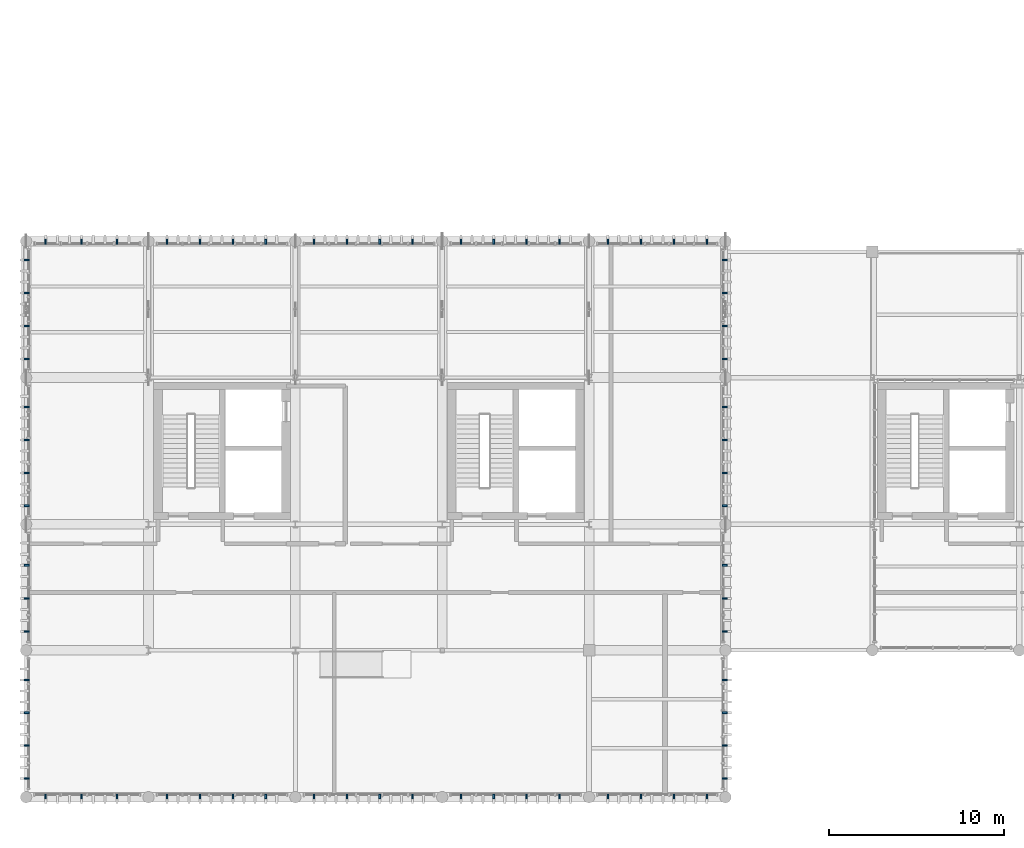
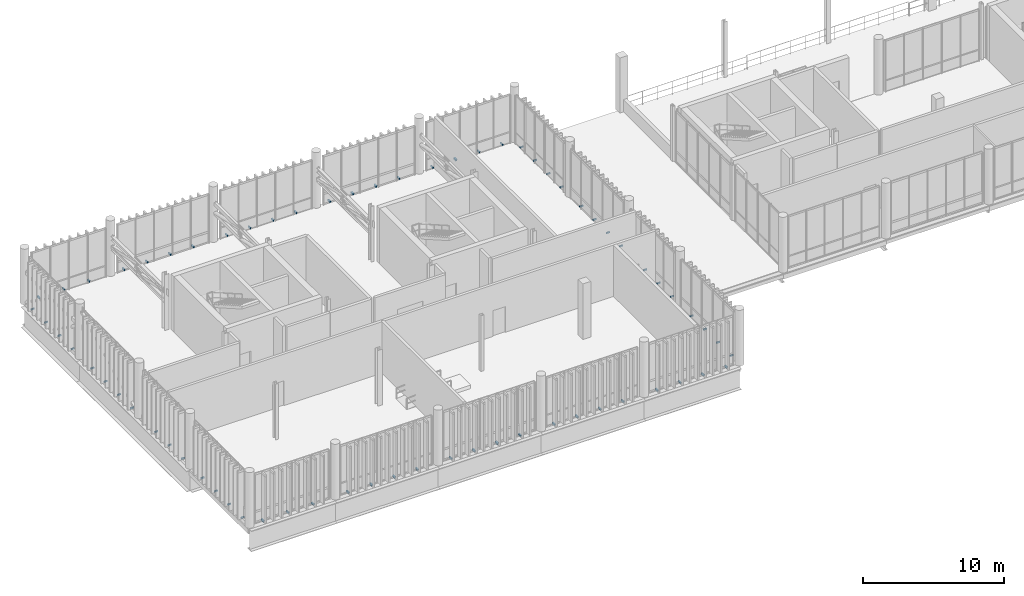
# One storey, part 74 of 81: 68 discrete accessories.
"""IFC4 building model written with IfcOpenShell, lengths in metres."""

from ifc_helpers import new_model, si_unit, direction, frame, origin_with_axes, origin_2d_with_axis, place, context, subcontext, project, spatial, rectangle, extrude, material, type_object, element, save


model = new_model("IFC4")

# Units and contexts
model_context = context("Model", 3, precision=1e-05, world=origin_with_axes(), true_north=direction((0.0, 1.0)))
body_context = subcontext(model_context, "Body", "Model", "MODEL_VIEW")
ifc_project = project(units=[si_unit("LENGTHUNIT", "METRE"), si_unit("AREAUNIT", "SQUARE_METRE"), si_unit("VOLUMEUNIT", "CUBIC_METRE"), si_unit("PLANEANGLEUNIT", "RADIAN"), si_unit("MASSUNIT", "GRAM", prefix="KILO"), si_unit("THERMODYNAMICTEMPERATUREUNIT", "KELVIN")], contexts=[model_context])

# Site, building, storey
site_placement = place(None, origin_with_axes())
site = spatial("IfcSite", under=ifc_project, at=site_placement, CompositionType="ELEMENT")
building_placement = place(site_placement, origin_with_axes())
building = spatial("IfcBuilding", under=site, at=building_placement, Name="Montbau Bow Law Courts", CompositionType="ELEMENT")
storey_placement = place(building_placement, frame((0.0, 0.0, 24.9), z_axis=(0.0, 0.0, 1.0), x_axis=(1.0, 0.0, 0.0)))
storey = spatial("IfcBuildingStorey", under=building, at=storey_placement, Name="L05", CompositionType="ELEMENT", Elevation=24.9)

# Discrete accessories
ifc_material = material(Name="Stainless Steel AISI 316L Outrigger Louvre Bracket", Category="steel")
discrete_accessory_type = type_object("IfcDiscreteAccessoryType", Name="DA-BRK-01", PredefinedType="BRACKET", material=ifc_material)
for number, where, z_axis, x_axis, name in (
    (1, (7.92, 30.64, 24.9), (0.0, 0.0, 1.0), (0.0, -1.0, 0.0), "BRK-L05-0231:brk_0231"),
    (2, (9.96, 30.64, 24.9), (0.0, 0.0, 1.0), (0.0, -1.0, 0.0), "BRK-L05-0232:brk_0232"),
    (3, (12.0, 30.64, 24.9), (0.0, 0.0, 1.0), (0.0, -1.0, 0.0), "BRK-L05-0233:brk_0233"),
    (4, (14.867, 30.64, 24.9), (0.0, 0.0, 1.0), (0.0, -1.0, 0.0), "BRK-L05-0234:brk_0234"),
    (5, (16.747, 30.64, 24.9), (0.0, 0.0, 1.0), (0.0, -1.0, 0.0), "BRK-L05-0235:brk_0235"),
    (6, (18.627, 30.64, 24.9), (0.0, 0.0, 1.0), (0.0, -1.0, 0.0), "BRK-L05-0236:brk_0236"),
    (7, (20.507, 30.64, 24.9), (0.0, 0.0, 1.0), (0.0, -1.0, 0.0), "BRK-L05-0237:brk_0237"),
    (8, (23.267, 30.64, 24.9), (0.0, 0.0, 1.0), (0.0, -1.0, 0.0), "BRK-L05-0238:brk_0238"),
    (9, (25.147, 30.64, 24.9), (0.0, 0.0, 1.0), (0.0, -1.0, 0.0), "BRK-L05-0239:brk_0239"),
    (10, (27.027, 30.64, 24.9), (0.0, 0.0, 1.0), (0.0, -1.0, 0.0), "BRK-L05-0240:brk_0240"),
    (11, (28.907, 30.64, 24.9), (0.0, 0.0, 1.0), (0.0, -1.0, 0.0), "BRK-L05-0241:brk_0241"),
    (12, (31.667, 30.64, 24.9), (0.0, 0.0, 1.0), (0.0, -1.0, 0.0), "BRK-L05-0242:brk_0242"),
    (13, (33.547, 30.64, 24.9), (0.0, 0.0, 1.0), (0.0, -1.0, 0.0), "BRK-L05-0243:brk_0243"),
    (14, (35.427, 30.64, 24.9), (0.0, 0.0, 1.0), (0.0, -1.0, 0.0), "BRK-L05-0244:brk_0244"),
    (15, (37.307, 30.64, 24.9), (0.0, 0.0, 1.0), (0.0, -1.0, 0.0), "BRK-L05-0245:brk_0245"),
    (16, (40.069, 30.64, 24.9), (0.0, 0.0, 1.0), (0.0, -1.0, 0.0), "BRK-L05-0246:brk_0246"),
    (17, (41.956, 30.64, 24.9), (0.0, 0.0, 1.0), (0.0, -1.0, 0.0), "BRK-L05-0247:brk_0247"),
    (18, (43.844, 30.64, 24.9), (0.0, 0.0, 1.0), (0.0, -1.0, 0.0), "BRK-L05-0248:brk_0248"),
    (19, (45.731, 30.64, 24.9), (0.0, 0.0, 1.0), (0.0, -1.0, 0.0), "BRK-L05-0249:brk_0249"),
    (20, (7.92, 62.36, 24.9), (0.0, 0.0, 1.0), (0.0, 1.0, 0.0), "BRK-L05-0250:brk_0250"),
    (21, (9.96, 62.36, 24.9), (0.0, 0.0, 1.0), (0.0, 1.0, 0.0), "BRK-L05-0251:brk_0251"),
    (22, (12.0, 62.36, 24.9), (0.0, 0.0, 1.0), (0.0, 1.0, 0.0), "BRK-L05-0252:brk_0252"),
    (23, (14.867, 62.36, 24.9), (0.0, 0.0, 1.0), (0.0, 1.0, 0.0), "BRK-L05-0253:brk_0253"),
    (24, (16.747, 62.36, 24.9), (0.0, 0.0, 1.0), (0.0, 1.0, 0.0), "BRK-L05-0254:brk_0254"),
    (25, (18.627, 62.36, 24.9), (0.0, 0.0, 1.0), (0.0, 1.0, 0.0), "BRK-L05-0255:brk_0255"),
    (26, (20.507, 62.36, 24.9), (0.0, 0.0, 1.0), (0.0, 1.0, 0.0), "BRK-L05-0256:brk_0256"),
    (27, (23.267, 62.36, 24.9), (0.0, 0.0, 1.0), (0.0, 1.0, 0.0), "BRK-L05-0257:brk_0257"),
    (28, (25.147, 62.36, 24.9), (0.0, 0.0, 1.0), (0.0, 1.0, 0.0), "BRK-L05-0258:brk_0258"),
    (29, (27.027, 62.36, 24.9), (0.0, 0.0, 1.0), (0.0, 1.0, 0.0), "BRK-L05-0259:brk_0259"),
    (30, (28.907, 62.36, 24.9), (0.0, 0.0, 1.0), (0.0, 1.0, 0.0), "BRK-L05-0260:brk_0260"),
    (31, (31.667, 62.36, 24.9), (0.0, 0.0, 1.0), (0.0, 1.0, 0.0), "BRK-L05-0261:brk_0261"),
    (32, (33.547, 62.36, 24.9), (0.0, 0.0, 1.0), (0.0, 1.0, 0.0), "BRK-L05-0262:brk_0262"),
    (33, (35.427, 62.36, 24.9), (0.0, 0.0, 1.0), (0.0, 1.0, 0.0), "BRK-L05-0263:brk_0263"),
    (34, (37.307, 62.36, 24.9), (0.0, 0.0, 1.0), (0.0, 1.0, 0.0), "BRK-L05-0264:brk_0264"),
    (35, (40.069, 62.36, 24.9), (0.0, 0.0, 1.0), (0.0, 1.0, 0.0), "BRK-L05-0265:brk_0265"),
    (36, (41.956, 62.36, 24.9), (0.0, 0.0, 1.0), (0.0, 1.0, 0.0), "BRK-L05-0266:brk_0266"),
    (37, (43.844, 62.36, 24.9), (0.0, 0.0, 1.0), (0.0, 1.0, 0.0), "BRK-L05-0267:brk_0267"),
    (38, (45.731, 62.36, 24.9), (0.0, 0.0, 1.0), (0.0, 1.0, 0.0), "BRK-L05-0268:brk_0268"),
    (39, (6.84, 31.667, 24.9), (0.0, 0.0, 1.0), (-1.0, 0.0, 0.0), "BRK-L05-0269:brk_0269"),
    (40, (6.84, 33.547, 24.9), (0.0, 0.0, 1.0), (-1.0, 0.0, 0.0), "BRK-L05-0270:brk_0270"),
    (41, (6.84, 35.427, 24.9), (0.0, 0.0, 1.0), (-1.0, 0.0, 0.0), "BRK-L05-0271:brk_0271"),
    (42, (6.84, 37.307, 24.9), (0.0, 0.0, 1.0), (-1.0, 0.0, 0.0), "BRK-L05-0272:brk_0272"),
    (43, (6.84, 40.072, 24.9), (0.0, 0.0, 1.0), (-1.0, 0.0, 0.0), "BRK-L05-0273:brk_0273"),
    (44, (6.84, 41.968, 24.9), (0.0, 0.0, 1.0), (-1.0, 0.0, 0.0), "BRK-L05-0274:brk_0274"),
    (45, (6.84, 43.864, 24.9), (0.0, 0.0, 1.0), (-1.0, 0.0, 0.0), "BRK-L05-0275:brk_0275"),
    (46, (6.84, 47.267, 24.9), (0.0, 0.0, 1.0), (-1.0, 0.0, 0.0), "BRK-L05-0276:brk_0276"),
    (47, (6.84, 49.147, 24.9), (0.0, 0.0, 1.0), (-1.0, 0.0, 0.0), "BRK-L05-0277:brk_0277"),
    (48, (6.84, 51.027, 24.9), (0.0, 0.0, 1.0), (-1.0, 0.0, 0.0), "BRK-L05-0278:brk_0278"),
    (49, (6.84, 52.907, 24.9), (0.0, 0.0, 1.0), (-1.0, 0.0, 0.0), "BRK-L05-0279:brk_0279"),
    (50, (6.84, 55.669, 24.9), (0.0, 0.0, 1.0), (-1.0, 0.0, 0.0), "BRK-L05-0280:brk_0280"),
    (51, (6.84, 57.556, 24.9), (0.0, 0.0, 1.0), (-1.0, 0.0, 0.0), "BRK-L05-0281:brk_0281"),
    (52, (6.84, 59.444, 24.9), (0.0, 0.0, 1.0), (-1.0, 0.0, 0.0), "BRK-L05-0282:brk_0282"),
    (53, (6.84, 61.331, 24.9), (0.0, 0.0, 1.0), (-1.0, 0.0, 0.0), "BRK-L05-0283:brk_0283"),
    (54, (46.76, 31.667, 24.9), (0.0, 0.0, 1.0), (1.0, 0.0, 0.0), "BRK-L05-0284:brk_0284"),
    (55, (46.76, 33.547, 24.9), (0.0, 0.0, 1.0), (1.0, 0.0, 0.0), "BRK-L05-0285:brk_0285"),
    (56, (46.76, 35.427, 24.9), (0.0, 0.0, 1.0), (1.0, 0.0, 0.0), "BRK-L05-0286:brk_0286"),
    (57, (46.76, 37.307, 24.9), (0.0, 0.0, 1.0), (1.0, 0.0, 0.0), "BRK-L05-0287:brk_0287"),
    (58, (46.76, 40.072, 24.9), (0.0, 0.0, 1.0), (1.0, 0.0, 0.0), "BRK-L05-0288:brk_0288"),
    (59, (46.76, 41.968, 24.9), (0.0, 0.0, 1.0), (1.0, 0.0, 0.0), "BRK-L05-0289:brk_0289"),
    (60, (46.76, 43.864, 24.9), (0.0, 0.0, 1.0), (1.0, 0.0, 0.0), "BRK-L05-0290:brk_0290"),
    (61, (46.76, 47.267, 24.9), (0.0, 0.0, 1.0), (1.0, 0.0, 0.0), "BRK-L05-0291:brk_0291"),
    (62, (46.76, 49.147, 24.9), (0.0, 0.0, 1.0), (1.0, 0.0, 0.0), "BRK-L05-0292:brk_0292"),
    (63, (46.76, 51.027, 24.9), (0.0, 0.0, 1.0), (1.0, 0.0, 0.0), "BRK-L05-0293:brk_0293"),
    (64, (46.76, 52.907, 24.9), (0.0, 0.0, 1.0), (1.0, 0.0, 0.0), "BRK-L05-0294:brk_0294"),
    (65, (46.76, 55.669, 24.9), (0.0, 0.0, 1.0), (1.0, 0.0, 0.0), "BRK-L05-0295:brk_0295"),
    (66, (46.76, 57.556, 24.9), (0.0, 0.0, 1.0), (1.0, 0.0, 0.0), "BRK-L05-0296:brk_0296"),
    (67, (46.76, 59.444, 24.9), (0.0, 0.0, 1.0), (1.0, 0.0, 0.0), "BRK-L05-0297:brk_0297"),
    (68, (46.76, 61.331, 24.9), (0.0, 0.0, 1.0), (1.0, 0.0, 0.0), "BRK-L05-0298:brk_0298"),
):
    element("IfcDiscreteAccessory", number, at=place(None, frame(where, z_axis=z_axis, x_axis=x_axis)), inside=storey, type_object=discrete_accessory_type, Name=name, PredefinedType="BRACKET", context=body_context, shape_type="SweptSolid", body=[
        extrude(rectangle(XDim=0.28, YDim=0.09, at=origin_2d_with_axis()), origin_with_axes(), (0.0, 0.0, 1.0), 0.12),
    ])

save(model, "model.ifc")
